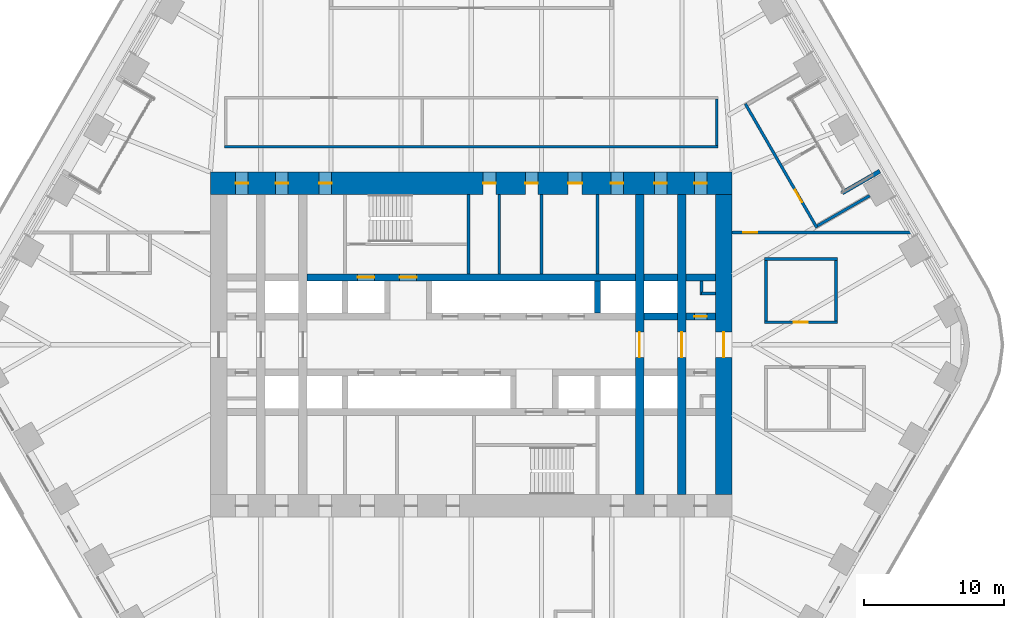
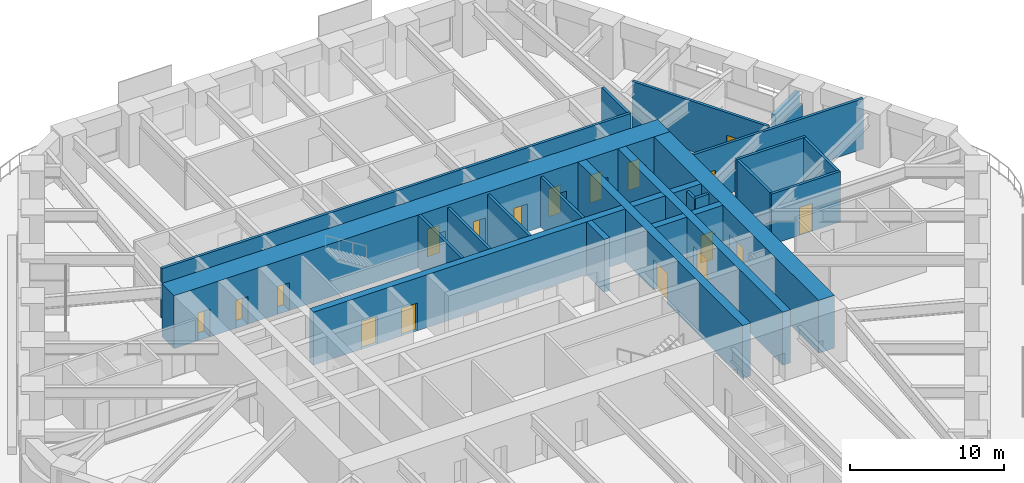
# One storey, part 20 of 24: 26 walls, 18 doors, 18 openings.
"""IFC4 building model written with IfcOpenShell, lengths in metres."""

from ifc_helpers import new_model, si_unit, direction, frame, frame_2d, origin, place, context, subcontext, project, spatial, rectangle, extrude, material, layer, layer_set, type_object, element, fill, save


model = new_model("IFC4")

# Units and contexts
model_context = context("Model", 3, precision=1e-05, world=origin(), true_north=direction((0.0, 1.0)))
body_context = subcontext(model_context, "Body", "Model", "MODEL_VIEW")
ifc_project = project(units=[si_unit("LENGTHUNIT", "METRE"), si_unit("AREAUNIT", "SQUARE_METRE"), si_unit("VOLUMEUNIT", "CUBIC_METRE"), si_unit("PLANEANGLEUNIT", "RADIAN"), si_unit("MASSUNIT", "GRAM", prefix="KILO")], contexts=[model_context])

# Site, building, storey
site_placement = place(None, origin())
site = spatial("IfcSite", under=ifc_project, at=site_placement, CompositionType="ELEMENT")
building_placement = place(site_placement, origin())
building = spatial("IfcBuilding", under=site, at=building_placement, Name="Tarfa Lantern Tower", CompositionType="ELEMENT")
storey_placement = place(building_placement, frame((0.0, 0.0, 136.300048828125)))
storey = spatial("IfcBuildingStorey", under=building, at=storey_placement, Name="L30", CompositionType="ELEMENT", Elevation=136.300048828125)

# Walls
ifc_material_1 = material(Name="Limestone cladding on blockwork", Category="masonry")
ifc_layer_1 = layer(ifc_material_1, 0.300048828125)
ifc_layer_set_1 = layer_set([ifc_layer_1], Name="EW1 STONE-CLAD WALL 300")
wall_type_1 = type_object("IfcWallType", Name="EW1 STONE-CLAD WALL 300", PredefinedType="SOLIDWALL", material=ifc_layer_set_1)
wall_1_placement = place(storey_placement, frame((29.1201171875, 12.362548828125, 0.0), z_axis=(0.0, 0.0, 1.0), x_axis=(-0.86602952684, -0.49999285859, 0.0)))
element("IfcWall", 1, at=wall_1_placement, inside=storey, type_object=wall_type_1, Name="Loggia return NE 1", PredefinedType="SOLIDWALL", context=body_context, shape_type="SweptSolid", body=[
    extrude(rectangle(XDim=3.10009765625, YDim=0.300048828125, at=frame_2d((1.550048828125, 0.0))), origin(), (0.0, 0.0, 1.0), 2.75),
])
ifc_material_2 = material(Name="Concrete blockwork", Category="masonry")
ifc_layer_2 = layer(ifc_material_2, 0.199951171875)
ifc_layer_set_2 = layer_set([ifc_layer_2], Name="IW1 BLOCKWORK PARTITION 200 EI 120")
wall_type_2 = type_object("IfcWallType", Name="IW1 BLOCKWORK PARTITION 200 EI 120", PredefinedType="PARTITIONING", material=ifc_layer_set_2)
for number, where, z_axis, x_axis, name in (
    (2, (9.0, 5.050048828125, 0.0), (0.0, 0.0, 1.0), (0.0, 1.0, 0.0), "Core partition"),
    (3, (2.0, 5.050048828125, 0.0), (0.0, 0.0, 1.0), (0.0, 1.0, 0.0), "Core partition"),
    (4, (5.0, 5.050048828125, 0.0), (0.0, 0.0, 1.0), (0.0, 1.0, 0.0), "Core partition"),
):
    element("IfcWall", number, at=place(storey_placement, frame(where, z_axis=z_axis, x_axis=x_axis)), inside=storey, type_object=wall_type_2, Name=name, PredefinedType="PARTITIONING", context=body_context, shape_type="SweptSolid", body=[
        extrude(rectangle(XDim=5.64990234375, YDim=0.199951171875, at=frame_2d((2.824951171875, 0.0))), origin(), (0.0, 0.0, 1.0), 4.0),
    ])
for number, where, z_axis, x_axis, name in (
    (5, (16.39990234375, 3.64990234375, 0.0), (0.0, 0.0, 1.0), (1.0, 0.0, 0.0), "Core partition"),
    (6, (16.39990234375, 3.550048828125, 0.0), (0.0, 0.0, 1.0), (0.0, 1.0, 0.0), "Core partition"),
):
    element("IfcWall", number, at=place(storey_placement, frame(where, z_axis=z_axis, x_axis=x_axis)), inside=storey, type_object=wall_type_2, Name=name, PredefinedType="PARTITIONING", context=body_context, shape_type="SweptSolid", body=[
        extrude(rectangle(XDim=1.0, YDim=0.199951171875, at=frame_2d((0.5, 0.0))), origin(), (0.0, 0.0, 1.0), 4.0),
    ])
ifc_material_3 = material(Name="Gypsum board on steel studs", Category="steel")
ifc_layer_3 = layer(ifc_material_3, 0.2099609375)
ifc_layer_set_3 = layer_set([ifc_layer_3], Name="IW2 ACOUSTIC PARTITION 200")
wall_type_3 = type_object("IfcWallType", Name="IW2 ACOUSTIC PARTITION 200", PredefinedType="PARTITIONING", material=ifc_layer_set_3)
wall_2_placement = place(storey_placement, frame((-17.60009765625, 14.10009765625, 0.0), z_axis=(0.0, 0.0, 1.0), x_axis=(1.0, 0.0, 0.0)))
element("IfcWall", 7, at=wall_2_placement, inside=storey, type_object=wall_type_3, Name="Partition", PredefinedType="PARTITIONING", context=body_context, shape_type="SweptSolid", body=[
    extrude(rectangle(XDim=35.2001953125, YDim=0.199951171875, at=frame_2d((17.60009765625, 0.0))), origin(), (0.0, 0.0, 1.0), 4.0),
])
wall_3_placement = place(storey_placement, frame((17.5, 14.199951171875, 0.0), z_axis=(0.0, 0.0, 1.0), x_axis=(0.0, 1.0, 0.0)))
element("IfcWall", 8, at=wall_3_placement, inside=storey, type_object=wall_type_3, Name="Partition", PredefinedType="PARTITIONING", context=body_context, shape_type="SweptSolid", body=[
    extrude(rectangle(XDim=3.300048828125, YDim=0.199951171875, at=frame_2d((1.64990234375, 0.0))), origin(), (0.0, 0.0, 1.0), 4.0),
])

# Wall, opening, door
wall_4_placement = place(storey_placement, frame((24.635498046875, 8.330078125, 0.0), z_axis=(0.0, 0.0, 1.0), x_axis=(-0.500005407604, 0.86602228168, 0.0)))
wall_4 = element("IfcWall", 9, at=wall_4_placement, inside=storey, type_object=wall_type_3, Name="Partition", PredefinedType="PARTITIONING", context=body_context, shape_type="SweptSolid", body=[
    extrude(rectangle(XDim=10.20751953125, YDim=0.199951171875, at=frame_2d((5.103759765625, 0.0))), origin(), (0.0, 0.0, 1.0), 4.0),
])
opening_1_placement = place(wall_4_placement, frame((2.101806640625, 0.0, 0.0)))
opening_1 = element("IfcOpeningElement", 10, at=opening_1_placement, cuts=wall_4, Name="Opening D37", PredefinedType="OPENING", context=body_context, shape_type="SweptSolid", body=[
    extrude(rectangle(XDim=1.0, YDim=2.199951171875, at=frame_2d((0.5, 1.10009765625))), frame((0.0, 0.10986328125, 0.0), z_axis=(0.0, -1.0, 0.0), x_axis=(1.0, 0.0, 0.0)), (0.0, 0.0, 1.0), 0.219970703125),
])
ifc_material_4 = material(Name="Timber door", Category="wood")
door_type_1 = type_object("IfcDoorType", Name="DR1 ROOM DOOR 1000x2200", OperationType="SINGLE_SWING_LEFT", PredefinedType="DOOR", material=ifc_material_4)
door_1_placement = place(opening_1_placement, frame((1.0, 0.0, 0.0), z_axis=(0.0, 0.0, 1.0), x_axis=(-1.0, 0.0, 0.0)))
door_1 = element("IfcDoor", 11, at=door_1_placement, inside=storey, type_object=door_type_1, Name="Treasury reception door", OperationType="SINGLE_SWING_LEFT", OverallHeight=2.199951171875, OverallWidth=1.0, PredefinedType="DOOR", context=body_context, shape_type="SweptSolid", body=[
    extrude(rectangle(XDim=1.0, YDim=2.199951171875, at=frame_2d((0.5, 1.10009765625))), frame((0.0, 0.02490234375, 0.0), z_axis=(0.0, -1.0, 0.0), x_axis=(1.0, 0.0, 0.0)), (0.0, 0.0, 1.0), 0.050048828125),
])
fill(opening_1, door_1)

# Wall
wall_5_placement = place(storey_placement, frame((24.672119140625, 8.466552734375, 0.0), z_axis=(0.0, 0.0, 1.0), x_axis=(0.866008775485, 0.500028799954, 0.0)))
element("IfcWall", 12, at=wall_5_placement, inside=storey, type_object=wall_type_3, Name="Partition", PredefinedType="PARTITIONING", context=body_context, shape_type="SweptSolid", body=[
    extrude(rectangle(XDim=4.300048828125, YDim=0.199951171875, at=frame_2d((2.14990234375, 0.0))), origin(), (0.0, 0.0, 1.0), 3.08154296875),
])

# Wall, opening, door
wall_6_placement = place(storey_placement, frame((20.89990234375, 1.60009765625, 0.0), z_axis=(0.0, 0.0, 1.0), x_axis=(1.0, 0.0, 0.0)))
wall_6 = element("IfcWall", 13, at=wall_6_placement, inside=storey, type_object=wall_type_3, Name="Partition", PredefinedType="PARTITIONING", context=body_context, shape_type="SweptSolid", body=[
    extrude(rectangle(XDim=5.2001953125, YDim=0.199951171875, at=frame_2d((2.60009765625, 0.0))), origin(), (0.0, 0.0, 1.0), 4.0),
])
opening_2_placement = place(wall_6_placement, frame((2.10009765625, 0.0, 0.0)))
opening_2 = element("IfcOpeningElement", 14, at=opening_2_placement, cuts=wall_6, Name="Opening D33", PredefinedType="OPENING", context=body_context, shape_type="SweptSolid", body=[
    extrude(rectangle(XDim=1.0, YDim=2.199951171875, at=frame_2d((0.5, 1.10009765625))), frame((0.0, 0.10986328125, 0.0), z_axis=(0.0, -1.0, 0.0), x_axis=(1.0, 0.0, 0.0)), (0.0, 0.0, 1.0), 0.219970703125),
])
door_2_placement = place(opening_2_placement, origin())
door_2 = element("IfcDoor", 15, at=door_2_placement, inside=storey, type_object=door_type_1, Name="Meeting room door", OperationType="SINGLE_SWING_RIGHT", OverallHeight=2.199951171875, OverallWidth=1.0, PredefinedType="DOOR", context=body_context, shape_type="SweptSolid", body=[
    extrude(rectangle(XDim=1.0, YDim=2.199951171875, at=frame_2d((0.5, 1.10009765625))), frame((0.0, 0.02490234375, 0.0), z_axis=(0.0, -1.0, 0.0), x_axis=(1.0, 0.0, 0.0)), (0.0, 0.0, 1.0), 0.050048828125),
])
fill(opening_2, door_2)

# Walls
wall_7_placement = place(storey_placement, frame((20.89990234375, 6.10009765625, 0.0), z_axis=(0.0, 0.0, 1.0), x_axis=(1.0, 0.0, 0.0)))
element("IfcWall", 16, at=wall_7_placement, inside=storey, type_object=wall_type_3, Name="Partition", PredefinedType="PARTITIONING", context=body_context, shape_type="SweptSolid", body=[
    extrude(rectangle(XDim=5.2001953125, YDim=0.199951171875, at=frame_2d((2.60009765625, 0.0))), origin(), (0.0, 0.0, 1.0), 4.0),
])
for number, where, z_axis, x_axis, name in (
    (17, (21.0, 1.699951171875, 0.0), (0.0, 0.0, 1.0), (0.0, 1.0, 0.0), "Partition"),
    (18, (26.0, 1.699951171875, 0.0), (0.0, 0.0, 1.0), (0.0, 1.0, 0.0), "Partition"),
):
    element("IfcWall", number, at=place(storey_placement, frame(where, z_axis=z_axis, x_axis=x_axis)), inside=storey, type_object=wall_type_3, Name=name, PredefinedType="PARTITIONING", context=body_context, shape_type="SweptSolid", body=[
        extrude(rectangle(XDim=4.300048828125, YDim=0.199951171875, at=frame_2d((2.14990234375, 0.0))), origin(), (0.0, 0.0, 1.0), 4.0),
    ])

# Wall, opening, door
wall_8_placement = place(storey_placement, frame((18.60009765625, 8.0, 0.0), z_axis=(0.0, 0.0, 1.0), x_axis=(1.0, 0.0, 0.0)))
wall_8 = element("IfcWall", 19, at=wall_8_placement, inside=storey, type_object=wall_type_3, Name="Partition", PredefinedType="PARTITIONING", context=body_context, shape_type="SweptSolid", body=[
    extrude(rectangle(XDim=12.89990234375, YDim=0.199951171875, at=frame_2d((6.449951171875, 0.0))), origin(), (0.0, 0.0, 1.0), 4.0),
])
opening_3_placement = place(wall_8_placement, frame((0.7900390625, 0.0, 0.0)))
opening_3 = element("IfcOpeningElement", 20, at=opening_3_placement, cuts=wall_8, Name="Opening D46", PredefinedType="OPENING", context=body_context, shape_type="SweptSolid", body=[
    extrude(rectangle(XDim=1.0, YDim=2.199951171875, at=frame_2d((0.5, 1.10009765625))), frame((0.0, 0.10986328125, 0.0), z_axis=(0.0, -1.0, 0.0), x_axis=(1.0, 0.0, 0.0)), (0.0, 0.0, 1.0), 0.219970703125),
])
door_3_placement = place(opening_3_placement, frame((1.0, 0.0, 0.0), z_axis=(0.0, 0.0, 1.0), x_axis=(-1.0, 0.0, 0.0)))
door_3 = element("IfcDoor", 21, at=door_3_placement, inside=storey, type_object=door_type_1, Name="Zone door", OperationType="SINGLE_SWING_LEFT", OverallHeight=2.199951171875, OverallWidth=1.0, PredefinedType="DOOR", context=body_context, shape_type="SweptSolid", body=[
    extrude(rectangle(XDim=1.0, YDim=2.199951171875, at=frame_2d((0.5, 1.10009765625))), frame((0.0, 0.02490234375, 0.0), z_axis=(0.0, -1.0, 0.0), x_axis=(1.0, 0.0, 0.0)), (0.0, 0.0, 1.0), 0.050048828125),
])
fill(opening_3, door_3)

ifc_material_5 = material(Name="Concrete C80/95", Category="concrete")
ifc_layer_4 = layer(ifc_material_5, 1.199951171875)
ifc_layer_set_4 = layer_set([ifc_layer_4], Name="SW1 CORE WALL 1200")
wall_type_4 = type_object("IfcWallType", Name="SW1 CORE WALL 1200", PredefinedType="SHEAR", material=ifc_layer_set_4)
wall_9_placement = place(storey_placement, frame((18.0, -10.699951171875, 0.0), z_axis=(0.0, 0.0, 1.0), x_axis=(0.0, 1.0, 0.0)))
wall_9 = element("IfcWall", 22, at=wall_9_placement, inside=storey, type_object=wall_type_4, Name="Core wall E", PredefinedType="SHEAR", context=body_context, shape_type="SweptSolid", body=[
    extrude(rectangle(XDim=21.39990234375, YDim=1.199951171875, at=frame_2d((10.699951171875, 0.0))), origin(), (0.0, 0.0, 1.0), 4.199951171875),
])
opening_4_placement = place(wall_9_placement, frame((9.800048828125, 0.0, 0.0)))
opening_4 = element("IfcOpeningElement", 23, at=opening_4_placement, cuts=wall_9, Name="Opening D15", PredefinedType="OPENING", context=body_context, shape_type="SweptSolid", body=[
    extrude(rectangle(XDim=1.800048828125, YDim=2.39990234375, at=frame_2d((0.89990234375, 1.199951171875))), frame((0.0, 0.60986328125, 0.0), z_axis=(0.0, -1.0, 0.0), x_axis=(1.0, 0.0, 0.0)), (0.0, 0.0, 1.0), 1.219970703125),
])
ifc_material_6 = material(Name="Steel fire door", Category="steel")
door_type_2 = type_object("IfcDoorType", Name="DL1 LOBBY DOOR 1800x2400", OperationType="DOUBLE_DOOR_SINGLE_SWING", PredefinedType="DOOR", material=ifc_material_6)
door_4_placement = place(opening_4_placement, frame((1.800048828125, 0.0, 0.0), z_axis=(0.0, 0.0, 1.0), x_axis=(-1.0, 0.0, 0.0)))
door_4 = element("IfcDoor", 24, at=door_4_placement, inside=storey, type_object=door_type_2, Name="Lift lobby door", OperationType="DOUBLE_DOOR_SINGLE_SWING", OverallHeight=2.39990234375, OverallWidth=1.800048828125, PredefinedType="DOOR", context=body_context, shape_type="SweptSolid", body=[
    extrude(rectangle(XDim=1.800048828125, YDim=2.39990234375, at=frame_2d((0.89990234375, 1.199951171875))), frame((0.0, 0.02490234375, 0.0), z_axis=(0.0, -1.0, 0.0), x_axis=(1.0, 0.0, 0.0)), (0.0, 0.0, 1.0), 0.050048828125),
])
fill(opening_4, door_4)

# Walls
ifc_layer_5 = layer(ifc_material_5, 0.199951171875)
ifc_layer_set_5 = layer_set([ifc_layer_5], Name="SW12 CORE WALL 200")
wall_type_5 = type_object("IfcWallType", Name="SW12 CORE WALL 200", PredefinedType="SHEAR", material=ifc_layer_set_5)
wall_10_placement = place(storey_placement, frame((-0.199951171875, 5.050048828125, 0.0), z_axis=(0.0, 0.0, 1.0), x_axis=(0.0, 1.0, 0.0)))
element("IfcWall", 25, at=wall_10_placement, inside=storey, type_object=wall_type_5, Name="Core wall stair shaft N", PredefinedType="SHEAR", context=body_context, shape_type="SweptSolid", body=[
    extrude(rectangle(XDim=5.64990234375, YDim=0.199951171875, at=frame_2d((2.824951171875, 0.0))), origin(), (0.0, 0.0, 1.0), 4.199951171875),
])
ifc_layer_6 = layer(ifc_material_5, 0.5)
ifc_layer_set_6 = layer_set([ifc_layer_6], Name="SW5 CORE WALL 500")
wall_type_6 = type_object("IfcWallType", Name="SW5 CORE WALL 500", PredefinedType="SHEAR", material=ifc_layer_set_6)
wall_11_placement = place(storey_placement, frame((12.300048828125, 2.0, 0.0), z_axis=(0.0, 0.0, 1.0), x_axis=(1.0, 0.0, 0.0)))
element("IfcWall", 26, at=wall_11_placement, inside=storey, type_object=wall_type_6, Name="Core wall lobby east N", PredefinedType="SHEAR", context=body_context, shape_type="SweptSolid", body=[
    extrude(rectangle(XDim=2.39990234375, YDim=0.5, at=frame_2d((1.199951171875, 0.0))), origin(), (0.0, 0.0, 1.0), 4.199951171875),
])

# Wall, opening, door
wall_12_placement = place(storey_placement, frame((15.300048828125, 2.0, 0.0), z_axis=(0.0, 0.0, 1.0), x_axis=(1.0, 0.0, 0.0)))
wall_12 = element("IfcWall", 27, at=wall_12_placement, inside=storey, type_object=wall_type_6, Name="Core wall lobby east N", PredefinedType="SHEAR", context=body_context, shape_type="SweptSolid", body=[
    extrude(rectangle(XDim=2.099853515625, YDim=0.5, at=frame_2d((1.0498046875, 0.0))), origin(), (0.0, 0.0, 1.0), 4.199951171875),
])
opening_5_placement = place(wall_12_placement, frame((0.60009765625, 0.0, 0.0)))
opening_5 = element("IfcOpeningElement", 28, at=opening_5_placement, cuts=wall_12, Name="Opening D17", PredefinedType="OPENING", context=body_context, shape_type="SweptSolid", body=[
    extrude(rectangle(XDim=0.89990234375, YDim=2.199951171875, at=frame_2d((0.449951171875, 1.10009765625))), frame((0.0, 0.260009765625, 0.0), z_axis=(0.0, -1.0, 0.0), x_axis=(1.0, 0.0, 0.0)), (0.0, 0.0, 1.0), 0.52001953125),
])
door_type_3 = type_object("IfcDoorType", Name="DF6 SERVICE ROOM DOOR 900x2200", OperationType="SINGLE_SWING_LEFT", PredefinedType="DOOR", material=ifc_material_6)
door_5_placement = place(opening_5_placement, origin())
door_5 = element("IfcDoor", 29, at=door_5_placement, inside=storey, type_object=door_type_3, Name="Service room door", OperationType="SINGLE_SWING_LEFT", OverallHeight=2.199951171875, OverallWidth=0.89990234375, PredefinedType="DOOR", context=body_context, shape_type="SweptSolid", body=[
    extrude(rectangle(XDim=0.89990234375, YDim=2.199951171875, at=frame_2d((0.449951171875, 1.10009765625))), frame((0.0, 0.02490234375, 0.0), z_axis=(0.0, -1.0, 0.0), x_axis=(1.0, 0.0, 0.0)), (0.0, 0.0, 1.0), 0.050048828125),
])
fill(opening_5, door_5)

# Wall, openings, doors
wall_13_placement = place(storey_placement, frame((-11.699951171875, 4.800048828125, 0.0), z_axis=(0.0, 0.0, 1.0), x_axis=(1.0, 0.0, 0.0)))
wall_13 = element("IfcWall", 30, at=wall_13_placement, inside=storey, type_object=wall_type_6, Name="Core wall rear N", PredefinedType="SHEAR", context=body_context, shape_type="SweptSolid", body=[
    extrude(rectangle(XDim=23.39990234375, YDim=0.5, at=frame_2d((11.699951171875, 0.0))), origin(), (0.0, 0.0, 1.0), 4.199951171875),
])
opening_6_placement = place(wall_13_placement, frame((6.60009765625, 0.0, 0.0)))
opening_6 = element("IfcOpeningElement", 31, at=opening_6_placement, cuts=wall_13, Name="Opening D13", PredefinedType="OPENING", context=body_context, shape_type="SweptSolid", body=[
    extrude(rectangle(XDim=1.199951171875, YDim=2.199951171875, at=frame_2d((0.60009765625, 1.10009765625))), frame((0.0, 0.260009765625, 0.0), z_axis=(0.0, -1.0, 0.0), x_axis=(1.0, 0.0, 0.0)), (0.0, 0.0, 1.0), 0.52001953125),
])
opening_7_placement = place(wall_13_placement, frame((3.60009765625, 0.0, 0.0)))
opening_7 = element("IfcOpeningElement", 32, at=opening_7_placement, cuts=wall_13, Name="Opening LD01", PredefinedType="OPENING", context=body_context, shape_type="SweptSolid", body=[
    extrude(rectangle(XDim=1.199951171875, YDim=2.199951171875, at=frame_2d((0.60009765625, 1.10009765625))), frame((0.0, 0.260009765625, 0.0), z_axis=(0.0, -1.0, 0.0), x_axis=(1.0, 0.0, 0.0)), (0.0, 0.0, 1.0), 0.52001953125),
])
door_type_4 = type_object("IfcDoorType", Name="DF1 FIREFIGHTING LOBBY DOOR 1200x2200", OperationType="SINGLE_SWING_LEFT", PredefinedType="DOOR", material=ifc_material_6)
door_6_placement = place(opening_6_placement, origin())
door_6 = element("IfcDoor", 33, at=door_6_placement, inside=storey, type_object=door_type_4, Name="Firefighting lobby door", OperationType="SINGLE_SWING_LEFT", OverallHeight=2.199951171875, OverallWidth=1.199951171875, PredefinedType="DOOR", context=body_context, shape_type="SweptSolid", body=[
    extrude(rectangle(XDim=1.199951171875, YDim=2.199951171875, at=frame_2d((0.60009765625, 1.10009765625))), frame((0.0, 0.02490234375, 0.0), z_axis=(0.0, -1.0, 0.0), x_axis=(1.0, 0.0, 0.0)), (0.0, 0.0, 1.0), 0.050048828125),
])
fill(opening_6, door_6)
ifc_material_7 = material(Name="Stainless steel lift door", Category="steel")
door_type_5 = type_object("IfcDoorType", Name="LD1 LIFT LANDING DOOR 1200x2200", OperationType="SLIDING_TO_LEFT", PredefinedType="DOOR", material=ifc_material_7)
door_7_placement = place(opening_7_placement, origin())
door_7 = element("IfcDoor", 34, at=door_7_placement, inside=storey, type_object=door_type_5, Name="Landing door FL1", OperationType="SLIDING_TO_LEFT", OverallHeight=2.199951171875, OverallWidth=1.199951171875, PredefinedType="DOOR", context=body_context, shape_type="SweptSolid", body=[
    extrude(rectangle(XDim=1.199951171875, YDim=2.199951171875, at=frame_2d((0.60009765625, 1.10009765625))), frame((0.0, 0.02490234375, 0.0), z_axis=(0.0, -1.0, 0.0), x_axis=(1.0, 0.0, 0.0)), (0.0, 0.0, 1.0), 0.050048828125),
])
fill(opening_7, door_7)

# Walls
wall_14_placement = place(storey_placement, frame((12.300048828125, 4.800048828125, 0.0), z_axis=(0.0, 0.0, 1.0), x_axis=(1.0, 0.0, 0.0)))
element("IfcWall", 35, at=wall_14_placement, inside=storey, type_object=wall_type_6, Name="Core wall rear N", PredefinedType="SHEAR", context=body_context, shape_type="SweptSolid", body=[
    extrude(rectangle(XDim=2.39990234375, YDim=0.5, at=frame_2d((1.199951171875, 0.0))), origin(), (0.0, 0.0, 1.0), 4.199951171875),
])
wall_15_placement = place(storey_placement, frame((15.300048828125, 4.800048828125, 0.0), z_axis=(0.0, 0.0, 1.0), x_axis=(1.0, 0.0, 0.0)))
element("IfcWall", 36, at=wall_15_placement, inside=storey, type_object=wall_type_6, Name="Core wall rear N", PredefinedType="SHEAR", context=body_context, shape_type="SweptSolid", body=[
    extrude(rectangle(XDim=2.099853515625, YDim=0.5, at=frame_2d((1.0498046875, 0.0))), origin(), (0.0, 0.0, 1.0), 4.199951171875),
])
ifc_layer_7 = layer(ifc_material_5, 0.39990234375)
ifc_layer_set_7 = layer_set([ifc_layer_7], Name="SW6 CORE WALL 400")
wall_type_7 = type_object("IfcWallType", Name="SW6 CORE WALL 400", PredefinedType="SHEAR", material=ifc_layer_set_7)
wall_16_placement = place(storey_placement, frame((9.0, 2.25, 0.0), z_axis=(0.0, 0.0, 1.0), x_axis=(0.0, 1.0, 0.0)))
element("IfcWall", 37, at=wall_16_placement, inside=storey, type_object=wall_type_7, Name="Core wall divider N", PredefinedType="SHEAR", context=body_context, shape_type="SweptSolid", body=[
    extrude(rectangle(XDim=2.300048828125, YDim=0.39990234375, at=frame_2d((1.14990234375, 0.0))), origin(), (0.0, 0.0, 1.0), 4.199951171875),
])

# Wall, openings, doors
ifc_layer_8 = layer(ifc_material_5, 1.60009765625)
ifc_layer_set_8 = layer_set([ifc_layer_8], Name="SW7 CORE WALL 1600")
wall_type_8 = type_object("IfcWallType", Name="SW7 CORE WALL 1600", PredefinedType="SHEAR", material=ifc_layer_set_8)
wall_17_placement = place(storey_placement, frame((-18.60009765625, 11.5, 0.0), z_axis=(0.0, 0.0, 1.0), x_axis=(1.0, 0.0, 0.0)))
wall_17 = element("IfcWall", 38, at=wall_17_placement, inside=storey, type_object=wall_type_8, Name="Core wall N", PredefinedType="SHEAR", context=body_context, shape_type="SweptSolid", body=[
    extrude(rectangle(XDim=37.2001953125, YDim=1.60009765625, at=frame_2d((18.60009765625, 0.0))), origin(), (0.0, 0.0, 1.0), 4.199951171875),
])
opening_8_placement = place(wall_17_placement, frame((19.449951171875, 0.0, 0.0)))
opening_8 = element("IfcOpeningElement", 39, at=opening_8_placement, cuts=wall_17, Name="Opening D21", PredefinedType="OPENING", context=body_context, shape_type="SweptSolid", body=[
    extrude(rectangle(XDim=0.89990234375, YDim=2.199951171875, at=frame_2d((0.449951171875, 1.10009765625))), frame((0.0, 0.81005859375, 0.0), z_axis=(0.0, -1.0, 0.0), x_axis=(1.0, 0.0, 0.0)), (0.0, 0.0, 1.0), 1.6201171875),
])
opening_9_placement = place(wall_17_placement, frame((22.449951171875, 0.0, 0.0)))
opening_9 = element("IfcOpeningElement", 40, at=opening_9_placement, cuts=wall_17, Name="Opening D23", PredefinedType="OPENING", context=body_context, shape_type="SweptSolid", body=[
    extrude(rectangle(XDim=0.89990234375, YDim=2.199951171875, at=frame_2d((0.449951171875, 1.10009765625))), frame((0.0, 0.81005859375, 0.0), z_axis=(0.0, -1.0, 0.0), x_axis=(1.0, 0.0, 0.0)), (0.0, 0.0, 1.0), 1.6201171875),
])
opening_10_placement = place(wall_17_placement, frame((25.5, 0.0, 0.0)))
opening_10 = element("IfcOpeningElement", 41, at=opening_10_placement, cuts=wall_17, Name="Opening D25", PredefinedType="OPENING", context=body_context, shape_type="SweptSolid", body=[
    extrude(rectangle(XDim=1.0, YDim=2.199951171875, at=frame_2d((0.5, 1.10009765625))), frame((0.0, 0.81005859375, 0.0), z_axis=(0.0, -1.0, 0.0), x_axis=(1.0, 0.0, 0.0)), (0.0, 0.0, 1.0), 1.6201171875),
])
opening_11_placement = place(wall_17_placement, frame((1.800048828125, 0.0, 0.0)))
opening_11 = element("IfcOpeningElement", 42, at=opening_11_placement, cuts=wall_17, Name="Opening D11", PredefinedType="OPENING", context=body_context, shape_type="SweptSolid", body=[
    extrude(rectangle(XDim=0.89990234375, YDim=2.199951171875, at=frame_2d((0.449951171875, 1.10009765625))), frame((0.0, 0.81005859375, 0.0), z_axis=(0.0, -1.0, 0.0), x_axis=(1.0, 0.0, 0.0)), (0.0, 0.0, 1.0), 1.6201171875),
])
opening_12_placement = place(wall_17_placement, frame((4.64990234375, 0.0, 0.0)))
opening_12 = element("IfcOpeningElement", 43, at=opening_12_placement, cuts=wall_17, Name="Opening D07", PredefinedType="OPENING", context=body_context, shape_type="SweptSolid", body=[
    extrude(rectangle(XDim=0.89990234375, YDim=2.199951171875, at=frame_2d((0.449951171875, 1.10009765625))), frame((0.0, 0.81005859375, 0.0), z_axis=(0.0, -1.0, 0.0), x_axis=(1.0, 0.0, 0.0)), (0.0, 0.0, 1.0), 1.6201171875),
])
opening_13_placement = place(wall_17_placement, frame((7.75, 0.0, 0.0)))
opening_13 = element("IfcOpeningElement", 44, at=opening_13_placement, cuts=wall_17, Name="Opening D09", PredefinedType="OPENING", context=body_context, shape_type="SweptSolid", body=[
    extrude(rectangle(XDim=0.89990234375, YDim=2.199951171875, at=frame_2d((0.449951171875, 1.10009765625))), frame((0.0, 0.81005859375, 0.0), z_axis=(0.0, -1.0, 0.0), x_axis=(1.0, 0.0, 0.0)), (0.0, 0.0, 1.0), 1.6201171875),
])
opening_14_placement = place(wall_17_placement, frame((28.550048828125, 0.0, 0.0)))
opening_14 = element("IfcOpeningElement", 45, at=opening_14_placement, cuts=wall_17, Name="Opening D05", PredefinedType="OPENING", context=body_context, shape_type="SweptSolid", body=[
    extrude(rectangle(XDim=0.89990234375, YDim=2.199951171875, at=frame_2d((0.449951171875, 1.10009765625))), frame((0.0, 0.81005859375, 0.0), z_axis=(0.0, -1.0, 0.0), x_axis=(1.0, 0.0, 0.0)), (0.0, 0.0, 1.0), 1.6201171875),
])
opening_15_placement = place(wall_17_placement, frame((31.64990234375, 0.0, 0.0)))
opening_15 = element("IfcOpeningElement", 46, at=opening_15_placement, cuts=wall_17, Name="Opening D01", PredefinedType="OPENING", context=body_context, shape_type="SweptSolid", body=[
    extrude(rectangle(XDim=0.89990234375, YDim=2.199951171875, at=frame_2d((0.449951171875, 1.10009765625))), frame((0.0, 0.81005859375, 0.0), z_axis=(0.0, -1.0, 0.0), x_axis=(1.0, 0.0, 0.0)), (0.0, 0.0, 1.0), 1.6201171875),
])
opening_16_placement = place(wall_17_placement, frame((34.5, 0.0, 0.0)))
opening_16 = element("IfcOpeningElement", 47, at=opening_16_placement, cuts=wall_17, Name="Opening D03", PredefinedType="OPENING", context=body_context, shape_type="SweptSolid", body=[
    extrude(rectangle(XDim=0.89990234375, YDim=2.199951171875, at=frame_2d((0.449951171875, 1.10009765625))), frame((0.0, 0.81005859375, 0.0), z_axis=(0.0, -1.0, 0.0), x_axis=(1.0, 0.0, 0.0)), (0.0, 0.0, 1.0), 1.6201171875),
])
door_type_6 = type_object("IfcDoorType", Name="DF3 CORE ROOM DOOR 900x2200", OperationType="SINGLE_SWING_LEFT", PredefinedType="DOOR", material=ifc_material_6)
door_8_placement = place(opening_8_placement, frame((0.89990234375, 0.0, 0.0), z_axis=(0.0, 0.0, 1.0), x_axis=(-1.0, 0.0, 0.0)))
door_8 = element("IfcDoor", 48, at=door_8_placement, inside=storey, type_object=door_type_6, Name="Core door", OperationType="SINGLE_SWING_RIGHT", OverallHeight=2.199951171875, OverallWidth=0.89990234375, PredefinedType="DOOR", context=body_context, shape_type="SweptSolid", body=[
    extrude(rectangle(XDim=0.89990234375, YDim=2.199951171875, at=frame_2d((0.449951171875, 1.10009765625))), frame((0.0, 0.02490234375, 0.0), z_axis=(0.0, -1.0, 0.0), x_axis=(1.0, 0.0, 0.0)), (0.0, 0.0, 1.0), 0.050048828125),
])
fill(opening_8, door_8)
door_9_placement = place(opening_9_placement, frame((0.89990234375, 0.0, 0.0), z_axis=(0.0, 0.0, 1.0), x_axis=(-1.0, 0.0, 0.0)))
door_9 = element("IfcDoor", 49, at=door_9_placement, inside=storey, type_object=door_type_6, Name="Core door", OperationType="SINGLE_SWING_RIGHT", OverallHeight=2.199951171875, OverallWidth=0.89990234375, PredefinedType="DOOR", context=body_context, shape_type="SweptSolid", body=[
    extrude(rectangle(XDim=0.89990234375, YDim=2.199951171875, at=frame_2d((0.449951171875, 1.10009765625))), frame((0.0, 0.02490234375, 0.0), z_axis=(0.0, -1.0, 0.0), x_axis=(1.0, 0.0, 0.0)), (0.0, 0.0, 1.0), 0.050048828125),
])
fill(opening_9, door_9)
door_type_7 = type_object("IfcDoorType", Name="DF4 CORE ROOM DOOR 1000x2200", OperationType="SINGLE_SWING_LEFT", PredefinedType="DOOR", material=ifc_material_6)
door_10_placement = place(opening_10_placement, frame((1.0, 0.0, 0.0), z_axis=(0.0, 0.0, 1.0), x_axis=(-1.0, 0.0, 0.0)))
door_10 = element("IfcDoor", 50, at=door_10_placement, inside=storey, type_object=door_type_7, Name="Core door", OperationType="SINGLE_SWING_RIGHT", OverallHeight=2.199951171875, OverallWidth=1.0, PredefinedType="DOOR", context=body_context, shape_type="SweptSolid", body=[
    extrude(rectangle(XDim=1.0, YDim=2.199951171875, at=frame_2d((0.5, 1.10009765625))), frame((0.0, 0.02490234375, 0.0), z_axis=(0.0, -1.0, 0.0), x_axis=(1.0, 0.0, 0.0)), (0.0, 0.0, 1.0), 0.050048828125),
])
fill(opening_10, door_10)
door_type_8 = type_object("IfcDoorType", Name="DF5 RISER DOOR 900x2200", OperationType="SINGLE_SWING_LEFT", PredefinedType="DOOR", material=ifc_material_6)
door_11_placement = place(opening_11_placement, frame((0.89990234375, 0.0, 0.0), z_axis=(0.0, 0.0, 1.0), x_axis=(-1.0, 0.0, 0.0)))
door_11 = element("IfcDoor", 51, at=door_11_placement, inside=storey, type_object=door_type_8, Name="Riser door", OperationType="SINGLE_SWING_LEFT", OverallHeight=2.199951171875, OverallWidth=0.89990234375, PredefinedType="DOOR", context=body_context, shape_type="SweptSolid", body=[
    extrude(rectangle(XDim=0.89990234375, YDim=2.199951171875, at=frame_2d((0.449951171875, 1.10009765625))), frame((0.0, 0.02490234375, 0.0), z_axis=(0.0, -1.0, 0.0), x_axis=(1.0, 0.0, 0.0)), (0.0, 0.0, 1.0), 0.050048828125),
])
fill(opening_11, door_11)
door_12_placement = place(opening_12_placement, frame((0.89990234375, 0.0, 0.0), z_axis=(0.0, 0.0, 1.0), x_axis=(-1.0, 0.0, 0.0)))
door_12 = element("IfcDoor", 52, at=door_12_placement, inside=storey, type_object=door_type_8, Name="Riser door", OperationType="SINGLE_SWING_LEFT", OverallHeight=2.199951171875, OverallWidth=0.89990234375, PredefinedType="DOOR", context=body_context, shape_type="SweptSolid", body=[
    extrude(rectangle(XDim=0.89990234375, YDim=2.199951171875, at=frame_2d((0.449951171875, 1.10009765625))), frame((0.0, 0.02490234375, 0.0), z_axis=(0.0, -1.0, 0.0), x_axis=(1.0, 0.0, 0.0)), (0.0, 0.0, 1.0), 0.050048828125),
])
fill(opening_12, door_12)
door_13_placement = place(opening_13_placement, frame((0.89990234375, 0.0, 0.0), z_axis=(0.0, 0.0, 1.0), x_axis=(-1.0, 0.0, 0.0)))
door_13 = element("IfcDoor", 53, at=door_13_placement, inside=storey, type_object=door_type_8, Name="Riser door", OperationType="SINGLE_SWING_LEFT", OverallHeight=2.199951171875, OverallWidth=0.89990234375, PredefinedType="DOOR", context=body_context, shape_type="SweptSolid", body=[
    extrude(rectangle(XDim=0.89990234375, YDim=2.199951171875, at=frame_2d((0.449951171875, 1.10009765625))), frame((0.0, 0.02490234375, 0.0), z_axis=(0.0, -1.0, 0.0), x_axis=(1.0, 0.0, 0.0)), (0.0, 0.0, 1.0), 0.050048828125),
])
fill(opening_13, door_13)
door_14_placement = place(opening_14_placement, frame((0.89990234375, 0.0, 0.0), z_axis=(0.0, 0.0, 1.0), x_axis=(-1.0, 0.0, 0.0)))
door_14 = element("IfcDoor", 54, at=door_14_placement, inside=storey, type_object=door_type_8, Name="Riser door", OperationType="SINGLE_SWING_RIGHT", OverallHeight=2.199951171875, OverallWidth=0.89990234375, PredefinedType="DOOR", context=body_context, shape_type="SweptSolid", body=[
    extrude(rectangle(XDim=0.89990234375, YDim=2.199951171875, at=frame_2d((0.449951171875, 1.10009765625))), frame((0.0, 0.02490234375, 0.0), z_axis=(0.0, -1.0, 0.0), x_axis=(1.0, 0.0, 0.0)), (0.0, 0.0, 1.0), 0.050048828125),
])
fill(opening_14, door_14)
door_15_placement = place(opening_15_placement, frame((0.89990234375, 0.0, 0.0), z_axis=(0.0, 0.0, 1.0), x_axis=(-1.0, 0.0, 0.0)))
door_15 = element("IfcDoor", 55, at=door_15_placement, inside=storey, type_object=door_type_8, Name="Riser door", OperationType="SINGLE_SWING_RIGHT", OverallHeight=2.199951171875, OverallWidth=0.89990234375, PredefinedType="DOOR", context=body_context, shape_type="SweptSolid", body=[
    extrude(rectangle(XDim=0.89990234375, YDim=2.199951171875, at=frame_2d((0.449951171875, 1.10009765625))), frame((0.0, 0.02490234375, 0.0), z_axis=(0.0, -1.0, 0.0), x_axis=(1.0, 0.0, 0.0)), (0.0, 0.0, 1.0), 0.050048828125),
])
fill(opening_15, door_15)
door_16_placement = place(opening_16_placement, frame((0.89990234375, 0.0, 0.0), z_axis=(0.0, 0.0, 1.0), x_axis=(-1.0, 0.0, 0.0)))
door_16 = element("IfcDoor", 56, at=door_16_placement, inside=storey, type_object=door_type_8, Name="Riser door", OperationType="SINGLE_SWING_RIGHT", OverallHeight=2.199951171875, OverallWidth=0.89990234375, PredefinedType="DOOR", context=body_context, shape_type="SweptSolid", body=[
    extrude(rectangle(XDim=0.89990234375, YDim=2.199951171875, at=frame_2d((0.449951171875, 1.10009765625))), frame((0.0, 0.02490234375, 0.0), z_axis=(0.0, -1.0, 0.0), x_axis=(1.0, 0.0, 0.0)), (0.0, 0.0, 1.0), 0.050048828125),
])
fill(opening_16, door_16)

# Wall, opening, door
ifc_layer_9 = layer(ifc_material_5, 0.60009765625)
ifc_layer_set_9 = layer_set([ifc_layer_9], Name="SW9 CORE WALL 600")
wall_type_9 = type_object("IfcWallType", Name="SW9 CORE WALL 600", PredefinedType="SHEAR", material=ifc_layer_set_9)
wall_18_placement = place(storey_placement, frame((12.0, -10.699951171875, 0.0), z_axis=(0.0, 0.0, 1.0), x_axis=(0.0, 1.0, 0.0)))
wall_18 = element("IfcWall", 57, at=wall_18_placement, inside=storey, type_object=wall_type_9, Name="Core wall cross 12 m east", PredefinedType="SHEAR", context=body_context, shape_type="SweptSolid", body=[
    extrude(rectangle(XDim=21.39990234375, YDim=0.60009765625, at=frame_2d((10.699951171875, 0.0))), origin(), (0.0, 0.0, 1.0), 4.199951171875),
])
opening_17_placement = place(wall_18_placement, frame((9.800048828125, 0.0, 0.0)))
opening_17 = element("IfcOpeningElement", 58, at=opening_17_placement, cuts=wall_18, Name="Opening D29", PredefinedType="OPENING", context=body_context, shape_type="SweptSolid", body=[
    extrude(rectangle(XDim=1.800048828125, YDim=2.39990234375, at=frame_2d((0.89990234375, 1.199951171875))), frame((0.0, 0.31005859375, 0.0), z_axis=(0.0, -1.0, 0.0), x_axis=(1.0, 0.0, 0.0)), (0.0, 0.0, 1.0), 0.6201171875),
])
door_17_placement = place(opening_17_placement, origin())
door_17 = element("IfcDoor", 59, at=door_17_placement, inside=storey, type_object=door_type_2, Name="Lift lobby door", OperationType="DOUBLE_DOOR_SINGLE_SWING", OverallHeight=2.39990234375, OverallWidth=1.800048828125, PredefinedType="DOOR", context=body_context, shape_type="SweptSolid", body=[
    extrude(rectangle(XDim=1.800048828125, YDim=2.39990234375, at=frame_2d((0.89990234375, 1.199951171875))), frame((0.0, 0.02490234375, 0.0), z_axis=(0.0, -1.0, 0.0), x_axis=(1.0, 0.0, 0.0)), (0.0, 0.0, 1.0), 0.050048828125),
])
fill(opening_17, door_17)

wall_19_placement = place(storey_placement, frame((15.0, -10.699951171875, 0.0), z_axis=(0.0, 0.0, 1.0), x_axis=(0.0, 1.0, 0.0)))
wall_19 = element("IfcWall", 60, at=wall_19_placement, inside=storey, type_object=wall_type_9, Name="Core wall cross 15 m east", PredefinedType="SHEAR", context=body_context, shape_type="SweptSolid", body=[
    extrude(rectangle(XDim=21.39990234375, YDim=0.60009765625, at=frame_2d((10.699951171875, 0.0))), origin(), (0.0, 0.0, 1.0), 4.199951171875),
])
opening_18_placement = place(wall_19_placement, frame((9.800048828125, 0.0, 0.0)))
opening_18 = element("IfcOpeningElement", 61, at=opening_18_placement, cuts=wall_19, Name="Opening D30", PredefinedType="OPENING", context=body_context, shape_type="SweptSolid", body=[
    extrude(rectangle(XDim=1.800048828125, YDim=2.39990234375, at=frame_2d((0.89990234375, 1.199951171875))), frame((0.0, 0.31005859375, 0.0), z_axis=(0.0, -1.0, 0.0), x_axis=(1.0, 0.0, 0.0)), (0.0, 0.0, 1.0), 0.6201171875),
])
door_18_placement = place(opening_18_placement, origin())
door_18 = element("IfcDoor", 62, at=door_18_placement, inside=storey, type_object=door_type_2, Name="Lift lobby door", OperationType="DOUBLE_DOOR_SINGLE_SWING", OverallHeight=2.39990234375, OverallWidth=1.800048828125, PredefinedType="DOOR", context=body_context, shape_type="SweptSolid", body=[
    extrude(rectangle(XDim=1.800048828125, YDim=2.39990234375, at=frame_2d((0.89990234375, 1.199951171875))), frame((0.0, 0.02490234375, 0.0), z_axis=(0.0, -1.0, 0.0), x_axis=(1.0, 0.0, 0.0)), (0.0, 0.0, 1.0), 0.050048828125),
])
fill(opening_18, door_18)

save(model, "model.ifc")
